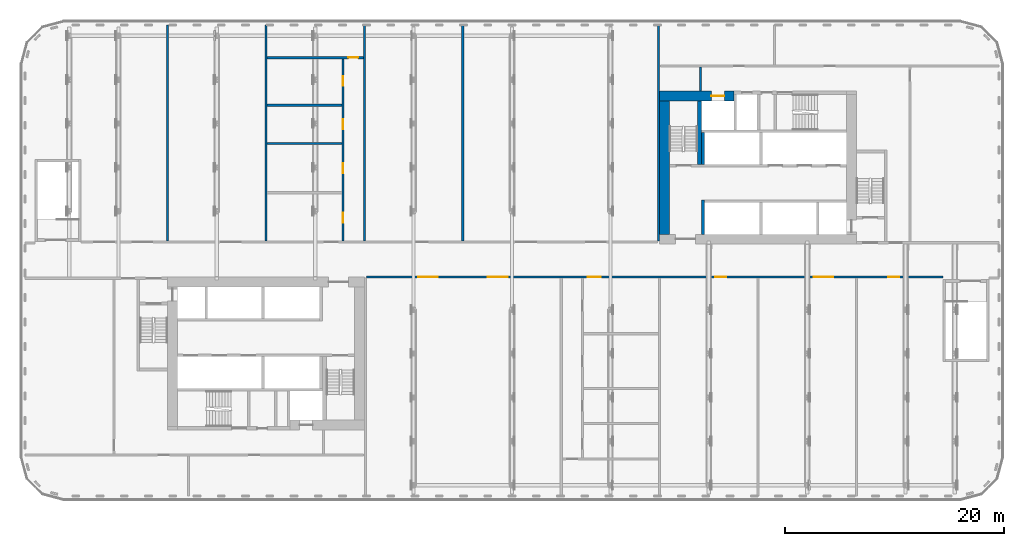
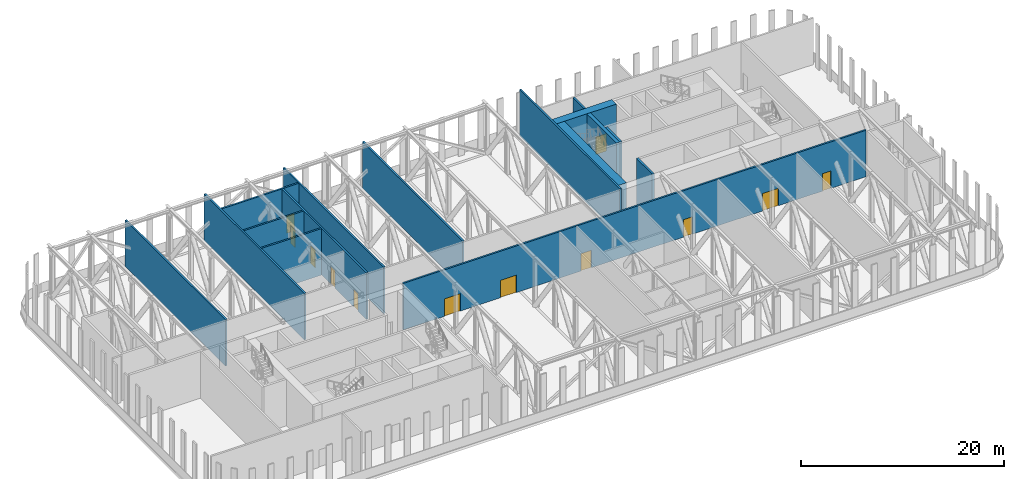
# One storey, part 8 of 26: 16 walls, 12 doors, 12 openings.
"""IFC4 building model written with IfcOpenShell, lengths in metres."""

from ifc_helpers import new_model, si_unit, direction, frame, frame_2d, origin, place, context, subcontext, project, spatial, rectangle, extrude, material, layer, layer_set, type_object, element, fill, save


model = new_model("IFC4")

# Units and contexts
model_context = context("Model", 3, precision=1e-05, world=origin(), true_north=direction((0.0, 1.0)))
body_context = subcontext(model_context, "Body", "Model", "MODEL_VIEW")
ifc_project = project(units=[si_unit("LENGTHUNIT", "METRE"), si_unit("AREAUNIT", "SQUARE_METRE"), si_unit("VOLUMEUNIT", "CUBIC_METRE"), si_unit("PLANEANGLEUNIT", "RADIAN"), si_unit("MASSUNIT", "GRAM", prefix="KILO")], contexts=[model_context])

# Site, building, storey
site_placement = place(None, origin())
site = spatial("IfcSite", under=ifc_project, at=site_placement, CompositionType="ELEMENT")
building_placement = place(site_placement, origin())
building = spatial("IfcBuilding", under=site, at=building_placement, Name="Kajstack Hotel Tower", CompositionType="ELEMENT")
storey_placement = place(building_placement, frame((0.0, 0.0, 47.0)))
storey = spatial("IfcBuildingStorey", under=building, at=storey_placement, Name="L07", CompositionType="ELEMENT", Elevation=47.0)

# Wall, opening, door
ifc_material_1 = material(Name="Concrete C60/75", Category="concrete")
ifc_layer_1 = layer(ifc_material_1, 0.89990234375)
ifc_layer_set_1 = layer_set([ifc_layer_1], Name="Core wall 900")
wall_type_1 = type_object("IfcWallType", Name="Core wall 900", PredefinedType="SHEAR", material=ifc_layer_set_1)
wall_1_placement = place(storey_placement, frame((13.5, 15.050048828125, 0.0), z_axis=(0.0, 0.0, 1.0), x_axis=(1.0, 0.0, 0.0)))
wall_1 = element("IfcWall", 1, at=wall_1_placement, inside=storey, type_object=wall_type_1, Name="Core wall E RS", PredefinedType="SHEAR", context=body_context, shape_type="SweptSolid", body=[
    extrude(rectangle(XDim=6.800048828125, YDim=0.89990234375, at=frame_2d((3.39990234375, 0.0))), origin(), (0.0, 0.0, 1.0), 5.60009765625),
])
opening_1_placement = place(wall_1_placement, frame((4.72509765625, 0.0, 0.0)))
opening_1 = element("IfcOpeningElement", 2, at=opening_1_placement, cuts=wall_1, Name="Opening LD-SV2", PredefinedType="OPENING", context=body_context, shape_type="SweptSolid", body=[
    extrude(rectangle(XDim=1.199951171875, YDim=2.10009765625, at=frame_2d((0.60009765625, 1.050048828125))), frame((0.0, 0.4599609375, 0.0), z_axis=(0.0, -1.0, 0.0), x_axis=(1.0, 0.0, 0.0)), (0.0, 0.0, 1.0), 0.919921875),
])
ifc_material_2 = material(Name="Stainless steel", Category="steel")
door_type_1 = type_object("IfcDoorType", Name="Lift landing door 1200", OperationType="SLIDING_TO_LEFT", PredefinedType="DOOR", material=ifc_material_2)
door_1_placement = place(opening_1_placement, origin())
door_1 = element("IfcDoor", 3, at=door_1_placement, inside=storey, type_object=door_type_1, Name="Landing door SV2", OperationType="SLIDING_TO_LEFT", OverallHeight=2.10009765625, OverallWidth=1.199951171875, PredefinedType="DOOR", context=body_context, shape_type="SweptSolid", body=[
    extrude(rectangle(XDim=1.199951171875, YDim=2.10009765625, at=frame_2d((0.60009765625, 1.050048828125))), frame((0.0, 0.02490234375, 0.0), z_axis=(0.0, -1.0, 0.0), x_axis=(1.0, 0.0, 0.0)), (0.0, 0.0, 1.0), 0.050048828125),
])
fill(opening_1, door_1)

# Walls
wall_2_placement = place(storey_placement, frame((13.949951171875, 2.39990234375, 0.0), z_axis=(0.0, 0.0, 1.0), x_axis=(0.0, 1.0, 0.0)))
element("IfcWall", 4, at=wall_2_placement, inside=storey, type_object=wall_type_1, Name="Core wall E RE", PredefinedType="SHEAR", context=body_context, shape_type="SweptSolid", body=[
    extrude(rectangle(XDim=12.2001953125, YDim=0.89990234375, at=frame_2d((6.10009765625, 0.0))), origin(), (0.0, 0.0, 1.0), 5.60009765625),
])
ifc_material_3 = material(Name="Gypsum board on steel studs, mineral wool", Category="steel")
ifc_layer_2 = layer(ifc_material_3, 0.199951171875)
ifc_layer_set_2 = layer_set([ifc_layer_2], Name="Public partition 200")
wall_type_2 = type_object("IfcWallType", Name="Public partition 200", PredefinedType="PARTITIONING", material=ifc_layer_set_2)
for number, where, z_axis, x_axis, name in (
    (5, (-4.5, 1.800048828125, 0.0), (0.0, 0.0, 1.0), (0.0, 1.0, 0.0), "Partition PX0"),
    (6, (-13.5, 1.800048828125, 0.0), (0.0, 0.0, 1.0), (0.0, 1.0, 0.0), "Partition PX1"),
):
    element("IfcWall", number, at=place(storey_placement, frame(where, z_axis=z_axis, x_axis=x_axis)), inside=storey, type_object=wall_type_2, Name=name, PredefinedType="PARTITIONING", context=body_context, shape_type="SweptSolid", body=[
        extrude(rectangle(XDim=19.75, YDim=0.199951171875, at=frame_2d((9.875, 0.0))), origin(), (0.0, 0.0, 1.0), 5.60009765625),
    ])

# Wall, openings, doors
wall_3_placement = place(storey_placement, frame((-15.449951171875, 1.800048828125, 0.0), z_axis=(0.0, 0.0, 1.0), x_axis=(0.0, 1.0, 0.0)))
wall_3 = element("IfcWall", 7, at=wall_3_placement, inside=storey, type_object=wall_type_2, Name="Partition C2CW", PredefinedType="PARTITIONING", context=body_context, shape_type="SweptSolid", body=[
    extrude(rectangle(XDim=16.64990234375, YDim=0.199951171875, at=frame_2d((8.324951171875, 0.0))), origin(), (0.0, 0.0, 1.0), 5.60009765625),
])
opening_2_placement = place(wall_3_placement, frame((1.64990234375, 0.0, 0.0)))
opening_2 = element("IfcOpeningElement", 8, at=opening_2_placement, cuts=wall_3, Name="Opening 07P05", PredefinedType="OPENING", context=body_context, shape_type="SweptSolid", body=[
    extrude(rectangle(XDim=0.89990234375, YDim=2.10009765625, at=frame_2d((0.449951171875, 1.050048828125))), frame((0.0, 0.10986328125, 0.0), z_axis=(0.0, -1.0, 0.0), x_axis=(1.0, 0.0, 0.0)), (0.0, 0.0, 1.0), 0.219970703125),
])
opening_3_placement = place(wall_3_placement, frame((6.199951171875, 0.0, 0.0)))
opening_3 = element("IfcOpeningElement", 9, at=opening_3_placement, cuts=wall_3, Name="Opening 07P06", PredefinedType="OPENING", context=body_context, shape_type="SweptSolid", body=[
    extrude(rectangle(XDim=0.89990234375, YDim=2.10009765625, at=frame_2d((0.449951171875, 1.050048828125))), frame((0.0, 0.10986328125, 0.0), z_axis=(0.0, -1.0, 0.0), x_axis=(1.0, 0.0, 0.0)), (0.0, 0.0, 1.0), 0.219970703125),
])
opening_4_placement = place(wall_3_placement, frame((10.199951171875, 0.0, 0.0)))
opening_4 = element("IfcOpeningElement", 10, at=opening_4_placement, cuts=wall_3, Name="Opening 07P07", PredefinedType="OPENING", context=body_context, shape_type="SweptSolid", body=[
    extrude(rectangle(XDim=0.89990234375, YDim=2.10009765625, at=frame_2d((0.449951171875, 1.050048828125))), frame((0.0, 0.10986328125, 0.0), z_axis=(0.0, -1.0, 0.0), x_axis=(1.0, 0.0, 0.0)), (0.0, 0.0, 1.0), 0.219970703125),
])
opening_5_placement = place(wall_3_placement, frame((14.175048828125, 0.0, 0.0)))
opening_5 = element("IfcOpeningElement", 11, at=opening_5_placement, cuts=wall_3, Name="Opening 07P08", PredefinedType="OPENING", context=body_context, shape_type="SweptSolid", body=[
    extrude(rectangle(XDim=0.89990234375, YDim=2.10009765625, at=frame_2d((0.449951171875, 1.050048828125))), frame((0.0, 0.10986328125, 0.0), z_axis=(0.0, -1.0, 0.0), x_axis=(1.0, 0.0, 0.0)), (0.0, 0.0, 1.0), 0.219970703125),
])
ifc_material_4 = material(Name="Timber leaf", Category="wood")
door_type_2 = type_object("IfcDoorType", Name="Public room door 900", OperationType="SINGLE_SWING_LEFT", PredefinedType="DOOR", material=ifc_material_4)
door_2_placement = place(opening_2_placement, origin())
door_2 = element("IfcDoor", 12, at=door_2_placement, inside=storey, type_object=door_type_2, Name="Door 07P05", OperationType="SINGLE_SWING_LEFT", OverallHeight=2.10009765625, OverallWidth=0.89990234375, PredefinedType="DOOR", context=body_context, shape_type="SweptSolid", body=[
    extrude(rectangle(XDim=0.89990234375, YDim=2.10009765625, at=frame_2d((0.449951171875, 1.050048828125))), frame((0.0, 0.02490234375, 0.0), z_axis=(0.0, -1.0, 0.0), x_axis=(1.0, 0.0, 0.0)), (0.0, 0.0, 1.0), 0.050048828125),
])
fill(opening_2, door_2)
door_3_placement = place(opening_3_placement, origin())
door_3 = element("IfcDoor", 13, at=door_3_placement, inside=storey, type_object=door_type_2, Name="Door 07P06", OperationType="SINGLE_SWING_LEFT", OverallHeight=2.10009765625, OverallWidth=0.89990234375, PredefinedType="DOOR", context=body_context, shape_type="SweptSolid", body=[
    extrude(rectangle(XDim=0.89990234375, YDim=2.10009765625, at=frame_2d((0.449951171875, 1.050048828125))), frame((0.0, 0.02490234375, 0.0), z_axis=(0.0, -1.0, 0.0), x_axis=(1.0, 0.0, 0.0)), (0.0, 0.0, 1.0), 0.050048828125),
])
fill(opening_3, door_3)
door_4_placement = place(opening_4_placement, origin())
door_4 = element("IfcDoor", 14, at=door_4_placement, inside=storey, type_object=door_type_2, Name="Door 07P07", OperationType="SINGLE_SWING_LEFT", OverallHeight=2.10009765625, OverallWidth=0.89990234375, PredefinedType="DOOR", context=body_context, shape_type="SweptSolid", body=[
    extrude(rectangle(XDim=0.89990234375, YDim=2.10009765625, at=frame_2d((0.449951171875, 1.050048828125))), frame((0.0, 0.02490234375, 0.0), z_axis=(0.0, -1.0, 0.0), x_axis=(1.0, 0.0, 0.0)), (0.0, 0.0, 1.0), 0.050048828125),
])
fill(opening_4, door_4)
door_5_placement = place(opening_5_placement, origin())
door_5 = element("IfcDoor", 15, at=door_5_placement, inside=storey, type_object=door_type_2, Name="Door 07P08", OperationType="SINGLE_SWING_LEFT", OverallHeight=2.10009765625, OverallWidth=0.89990234375, PredefinedType="DOOR", context=body_context, shape_type="SweptSolid", body=[
    extrude(rectangle(XDim=0.89990234375, YDim=2.10009765625, at=frame_2d((0.449951171875, 1.050048828125))), frame((0.0, 0.02490234375, 0.0), z_axis=(0.0, -1.0, 0.0), x_axis=(1.0, 0.0, 0.0)), (0.0, 0.0, 1.0), 0.050048828125),
])
fill(opening_5, door_5)

# Walls
for number, where, z_axis, x_axis, name in (
    (16, (-22.39990234375, 10.699951171875, 0.0), (0.0, 0.0, 1.0), (1.0, 0.0, 0.0), "Partition C2wP1"),
    (17, (-22.39990234375, 14.199951171875, 0.0), (0.0, 0.0, 1.0), (1.0, 0.0, 0.0), "Partition C2wP2"),
):
    element("IfcWall", number, at=place(storey_placement, frame(where, z_axis=z_axis, x_axis=x_axis)), inside=storey, type_object=wall_type_2, Name=name, PredefinedType="PARTITIONING", context=body_context, shape_type="SweptSolid", body=[
        extrude(rectangle(XDim=6.849853515625, YDim=0.199951171875, at=frame_2d((3.4248046875, 0.0))), origin(), (0.0, 0.0, 1.0), 5.60009765625),
    ])

# Wall, opening, door
wall_4_placement = place(storey_placement, frame((-22.39990234375, 18.550048828125, 0.0), z_axis=(0.0, 0.0, 1.0), x_axis=(1.0, 0.0, 0.0)))
wall_4 = element("IfcWall", 18, at=wall_4_placement, inside=storey, type_object=wall_type_2, Name="Partition C2BW", PredefinedType="PARTITIONING", context=body_context, shape_type="SweptSolid", body=[
    extrude(rectangle(XDim=8.7998046875, YDim=0.199951171875, at=frame_2d((4.39990234375, 0.0))), origin(), (0.0, 0.0, 1.0), 5.60009765625),
])
opening_6_placement = place(wall_4_placement, frame((7.425048828125, 0.0, 0.0)))
opening_6 = element("IfcOpeningElement", 19, at=opening_6_placement, cuts=wall_4, Name="Opening 07P09", PredefinedType="OPENING", context=body_context, shape_type="SweptSolid", body=[
    extrude(rectangle(XDim=0.89990234375, YDim=2.10009765625, at=frame_2d((0.449951171875, 1.050048828125))), frame((0.0, 0.10986328125, 0.0), z_axis=(0.0, -1.0, 0.0), x_axis=(1.0, 0.0, 0.0)), (0.0, 0.0, 1.0), 0.219970703125),
])
door_6_placement = place(opening_6_placement, origin())
door_6 = element("IfcDoor", 20, at=door_6_placement, inside=storey, type_object=door_type_2, Name="Door 07P09", OperationType="SINGLE_SWING_LEFT", OverallHeight=2.10009765625, OverallWidth=0.89990234375, PredefinedType="DOOR", context=body_context, shape_type="SweptSolid", body=[
    extrude(rectangle(XDim=0.89990234375, YDim=2.10009765625, at=frame_2d((0.449951171875, 1.050048828125))), frame((0.0, 0.02490234375, 0.0), z_axis=(0.0, -1.0, 0.0), x_axis=(1.0, 0.0, 0.0)), (0.0, 0.0, 1.0), 0.050048828125),
])
fill(opening_6, door_6)

# Walls
for number, where, z_axis, x_axis, name in (
    (21, (-22.5, 1.800048828125, 0.0), (0.0, 0.0, 1.0), (0.0, 1.0, 0.0), "Partition PX2"),
    (22, (-31.5, 1.800048828125, 0.0), (0.0, 0.0, 1.0), (0.0, 1.0, 0.0), "Partition PX3"),
    (23, (13.39990234375, 1.800048828125, 0.0), (0.0, 0.0, 1.0), (0.0, 1.0, 0.0), "Partition EW"),
):
    element("IfcWall", number, at=place(storey_placement, frame(where, z_axis=z_axis, x_axis=x_axis)), inside=storey, type_object=wall_type_2, Name=name, PredefinedType="PARTITIONING", context=body_context, shape_type="SweptSolid", body=[
        extrude(rectangle(XDim=19.75, YDim=0.199951171875, at=frame_2d((9.875, 0.0))), origin(), (0.0, 0.0, 1.0), 5.60009765625),
    ])

# Wall, openings, doors
wall_5_placement = place(storey_placement, frame((-13.300048828125, -1.5, 0.0), z_axis=(0.0, 0.0, 1.0), x_axis=(1.0, 0.0, 0.0)))
wall_5 = element("IfcWall", 24, at=wall_5_placement, inside=storey, type_object=wall_type_2, Name="Partition SFW", PredefinedType="PARTITIONING", context=body_context, shape_type="SweptSolid", body=[
    extrude(rectangle(XDim=52.699951171875, YDim=0.199951171875, at=frame_2d((26.35009765625, 0.0))), origin(), (0.0, 0.0, 1.0), 5.60009765625),
])
opening_7_placement = place(wall_5_placement, frame((4.7099609375, 0.0, 0.0)))
opening_7 = element("IfcOpeningElement", 25, at=opening_7_placement, cuts=wall_5, Name="Opening 07P13", PredefinedType="OPENING", context=body_context, shape_type="SweptSolid", body=[
    extrude(rectangle(XDim=1.800048828125, YDim=2.10009765625, at=frame_2d((0.89990234375, 1.050048828125))), frame((0.0, 0.10986328125, 0.0), z_axis=(0.0, -1.0, 0.0), x_axis=(1.0, 0.0, 0.0)), (0.0, 0.0, 1.0), 0.219970703125),
])
opening_8_placement = place(wall_5_placement, frame((11.090087890625, 0.0, 0.0)))
opening_8 = element("IfcOpeningElement", 26, at=opening_8_placement, cuts=wall_5, Name="Opening 07P14", PredefinedType="OPENING", context=body_context, shape_type="SweptSolid", body=[
    extrude(rectangle(XDim=1.800048828125, YDim=2.10009765625, at=frame_2d((0.89990234375, 1.050048828125))), frame((0.0, 0.10986328125, 0.0), z_axis=(0.0, -1.0, 0.0), x_axis=(1.0, 0.0, 0.0)), (0.0, 0.0, 1.0), 0.219970703125),
])
opening_9_placement = place(wall_5_placement, frame((20.22509765625, 0.0, 0.0)))
opening_9 = element("IfcOpeningElement", 27, at=opening_9_placement, cuts=wall_5, Name="Opening 07P15", PredefinedType="OPENING", context=body_context, shape_type="SweptSolid", body=[
    extrude(rectangle(XDim=1.199951171875, YDim=2.10009765625, at=frame_2d((0.60009765625, 1.050048828125))), frame((0.0, 0.10986328125, 0.0), z_axis=(0.0, -1.0, 0.0), x_axis=(1.0, 0.0, 0.0)), (0.0, 0.0, 1.0), 0.219970703125),
])
opening_10_placement = place(wall_5_placement, frame((31.89990234375, 0.0, 0.0)))
opening_10 = element("IfcOpeningElement", 28, at=opening_10_placement, cuts=wall_5, Name="Opening 07P21", PredefinedType="OPENING", context=body_context, shape_type="SweptSolid", body=[
    extrude(rectangle(XDim=1.0, YDim=2.10009765625, at=frame_2d((0.5, 1.050048828125))), frame((0.0, 0.10986328125, 0.0), z_axis=(0.0, -1.0, 0.0), x_axis=(1.0, 0.0, 0.0)), (0.0, 0.0, 1.0), 0.219970703125),
])
opening_11_placement = place(wall_5_placement, frame((40.89990234375, 0.0, 0.0)))
opening_11 = element("IfcOpeningElement", 29, at=opening_11_placement, cuts=wall_5, Name="Opening 07P22", PredefinedType="OPENING", context=body_context, shape_type="SweptSolid", body=[
    extrude(rectangle(XDim=1.800048828125, YDim=2.10009765625, at=frame_2d((0.89990234375, 1.050048828125))), frame((0.0, 0.10986328125, 0.0), z_axis=(0.0, -1.0, 0.0), x_axis=(1.0, 0.0, 0.0)), (0.0, 0.0, 1.0), 0.219970703125),
])
opening_12_placement = place(wall_5_placement, frame((47.699951171875, 0.0, 0.0)))
opening_12 = element("IfcOpeningElement", 30, at=opening_12_placement, cuts=wall_5, Name="Opening 07P23", PredefinedType="OPENING", context=body_context, shape_type="SweptSolid", body=[
    extrude(rectangle(XDim=1.0, YDim=2.10009765625, at=frame_2d((0.5, 1.050048828125))), frame((0.0, 0.10986328125, 0.0), z_axis=(0.0, -1.0, 0.0), x_axis=(1.0, 0.0, 0.0)), (0.0, 0.0, 1.0), 0.219970703125),
])
ifc_material_5 = material(Name="Timber leaf, fire-rated", Category="wood")
door_type_3 = type_object("IfcDoorType", Name="Public corridor door 1200", OperationType="SINGLE_SWING_LEFT", PredefinedType="DOOR", material=ifc_material_5)
door_7_placement = place(opening_9_placement, origin())
door_7 = element("IfcDoor", 31, at=door_7_placement, inside=storey, type_object=door_type_3, Name="Door 07P15", OperationType="SINGLE_SWING_RIGHT", OverallHeight=2.10009765625, OverallWidth=1.199951171875, PredefinedType="DOOR", context=body_context, shape_type="SweptSolid", body=[
    extrude(rectangle(XDim=1.199951171875, YDim=2.10009765625, at=frame_2d((0.60009765625, 1.050048828125))), frame((0.0, 0.02490234375, 0.0), z_axis=(0.0, -1.0, 0.0), x_axis=(1.0, 0.0, 0.0)), (0.0, 0.0, 1.0), 0.050048828125),
])
fill(opening_9, door_7)
ifc_material_6 = material(Name="Glazed timber frame, fire-rated glass", Category="wood")
door_type_4 = type_object("IfcDoorType", Name="Public double door 1800", OperationType="DOUBLE_DOOR_DOUBLE_SWING", PredefinedType="DOOR", material=ifc_material_6)
door_8_placement = place(opening_7_placement, origin())
door_8 = element("IfcDoor", 32, at=door_8_placement, inside=storey, type_object=door_type_4, Name="Door 07P13", OperationType="DOUBLE_DOOR_DOUBLE_SWING", OverallHeight=2.10009765625, OverallWidth=1.800048828125, PredefinedType="DOOR", context=body_context, shape_type="SweptSolid", body=[
    extrude(rectangle(XDim=1.800048828125, YDim=2.10009765625, at=frame_2d((0.89990234375, 1.050048828125))), frame((0.0, 0.02490234375, 0.0), z_axis=(0.0, -1.0, 0.0), x_axis=(1.0, 0.0, 0.0)), (0.0, 0.0, 1.0), 0.050048828125),
])
fill(opening_7, door_8)
door_9_placement = place(opening_8_placement, origin())
door_9 = element("IfcDoor", 33, at=door_9_placement, inside=storey, type_object=door_type_4, Name="Door 07P14", OperationType="DOUBLE_DOOR_DOUBLE_SWING", OverallHeight=2.10009765625, OverallWidth=1.800048828125, PredefinedType="DOOR", context=body_context, shape_type="SweptSolid", body=[
    extrude(rectangle(XDim=1.800048828125, YDim=2.10009765625, at=frame_2d((0.89990234375, 1.050048828125))), frame((0.0, 0.02490234375, 0.0), z_axis=(0.0, -1.0, 0.0), x_axis=(1.0, 0.0, 0.0)), (0.0, 0.0, 1.0), 0.050048828125),
])
fill(opening_8, door_9)
door_10_placement = place(opening_11_placement, origin())
door_10 = element("IfcDoor", 34, at=door_10_placement, inside=storey, type_object=door_type_4, Name="Door 07P22", OperationType="DOUBLE_DOOR_DOUBLE_SWING", OverallHeight=2.10009765625, OverallWidth=1.800048828125, PredefinedType="DOOR", context=body_context, shape_type="SweptSolid", body=[
    extrude(rectangle(XDim=1.800048828125, YDim=2.10009765625, at=frame_2d((0.89990234375, 1.050048828125))), frame((0.0, 0.02490234375, 0.0), z_axis=(0.0, -1.0, 0.0), x_axis=(1.0, 0.0, 0.0)), (0.0, 0.0, 1.0), 0.050048828125),
])
fill(opening_11, door_10)
door_type_5 = type_object("IfcDoorType", Name="Public room door 1000", OperationType="SINGLE_SWING_LEFT", PredefinedType="DOOR", material=ifc_material_4)
door_11_placement = place(opening_10_placement, origin())
door_11 = element("IfcDoor", 35, at=door_11_placement, inside=storey, type_object=door_type_5, Name="Door 07P21", OperationType="SINGLE_SWING_RIGHT", OverallHeight=2.10009765625, OverallWidth=1.0, PredefinedType="DOOR", context=body_context, shape_type="SweptSolid", body=[
    extrude(rectangle(XDim=1.0, YDim=2.10009765625, at=frame_2d((0.5, 1.050048828125))), frame((0.0, 0.02490234375, 0.0), z_axis=(0.0, -1.0, 0.0), x_axis=(1.0, 0.0, 0.0)), (0.0, 0.0, 1.0), 0.050048828125),
])
fill(opening_10, door_11)
door_12_placement = place(opening_12_placement, origin())
door_12 = element("IfcDoor", 36, at=door_12_placement, inside=storey, type_object=door_type_5, Name="Door 07P23", OperationType="SINGLE_SWING_RIGHT", OverallHeight=2.10009765625, OverallWidth=1.0, PredefinedType="DOOR", context=body_context, shape_type="SweptSolid", body=[
    extrude(rectangle(XDim=1.0, YDim=2.10009765625, at=frame_2d((0.5, 1.050048828125))), frame((0.0, 0.02490234375, 0.0), z_axis=(0.0, -1.0, 0.0), x_axis=(1.0, 0.0, 0.0)), (0.0, 0.0, 1.0), 0.050048828125),
])
fill(opening_12, door_12)

# Walls
ifc_layer_3 = layer(ifc_material_3, 0.199951171875)
ifc_layer_set_3 = layer_set([ifc_layer_3], Name="Service partition 200")
wall_type_3 = type_object("IfcWallType", Name="Service partition 200", PredefinedType="PARTITIONING", material=ifc_layer_set_3)
wall_6_placement = place(storey_placement, frame((17.25, 15.5, 0.0), z_axis=(0.0, 0.0, 1.0), x_axis=(0.0, 1.0, 0.0)))
element("IfcWall", 37, at=wall_6_placement, inside=storey, type_object=wall_type_3, Name="Partition E SCE", PredefinedType="PARTITIONING", context=body_context, shape_type="SweptSolid", body=[
    extrude(rectangle(XDim=2.199951171875, YDim=0.199951171875, at=frame_2d((1.10009765625, 0.0))), origin(), (0.0, 0.0, 1.0), 5.60009765625),
])
ifc_material_7 = material(Name="Concrete C50/60", Category="concrete")
ifc_layer_4 = layer(ifc_material_7, 0.25)
ifc_layer_set_4 = layer_set([ifc_layer_4], Name="Shaft wall 250")
wall_type_4 = type_object("IfcWallType", Name="Shaft wall 250", PredefinedType="SHEAR", material=ifc_layer_set_4)
wall_7_placement = place(storey_placement, frame((17.47509765625, 2.39990234375, 0.0), z_axis=(0.0, 0.0, 1.0), x_axis=(0.0, 1.0, 0.0)))
element("IfcWall", 38, at=wall_7_placement, inside=storey, type_object=wall_type_4, Name="Core wall E AE", PredefinedType="SHEAR", context=body_context, shape_type="SweptSolid", body=[
    extrude(rectangle(XDim=3.150146484375, YDim=0.25, at=frame_2d((1.5751953125, 0.0))), origin(), (0.0, 0.0, 1.0), 5.60009765625),
])
wall_8_placement = place(storey_placement, frame((17.47509765625, 8.800048828125, 0.0), z_axis=(0.0, 0.0, 1.0), x_axis=(0.0, 1.0, 0.0)))
element("IfcWall", 39, at=wall_8_placement, inside=storey, type_object=wall_type_4, Name="Core wall E BE", PredefinedType="SHEAR", context=body_context, shape_type="SweptSolid", body=[
    extrude(rectangle(XDim=2.89990234375, YDim=0.25, at=frame_2d((1.449951171875, 0.0))), origin(), (0.0, 0.0, 1.0), 5.60009765625),
])
ifc_layer_5 = layer(ifc_material_7, 0.39990234375)
ifc_layer_set_5 = layer_set([ifc_layer_5], Name="Stair wall 400")
wall_type_5 = type_object("IfcWallType", Name="Stair wall 400", PredefinedType="SHEAR", material=ifc_layer_set_5)
wall_9_placement = place(storey_placement, frame((17.14990234375, 8.800048828125, 0.0), z_axis=(0.0, 0.0, 1.0), x_axis=(0.0, 1.0, 0.0)))
element("IfcWall", 40, at=wall_9_placement, inside=storey, type_object=wall_type_5, Name="Core wall E WW2", PredefinedType="SHEAR", context=body_context, shape_type="SweptSolid", body=[
    extrude(rectangle(XDim=5.800048828125, YDim=0.39990234375, at=frame_2d((2.89990234375, 0.0))), origin(), (0.0, 0.0, 1.0), 5.60009765625),
])

save(model, "model.ifc")
